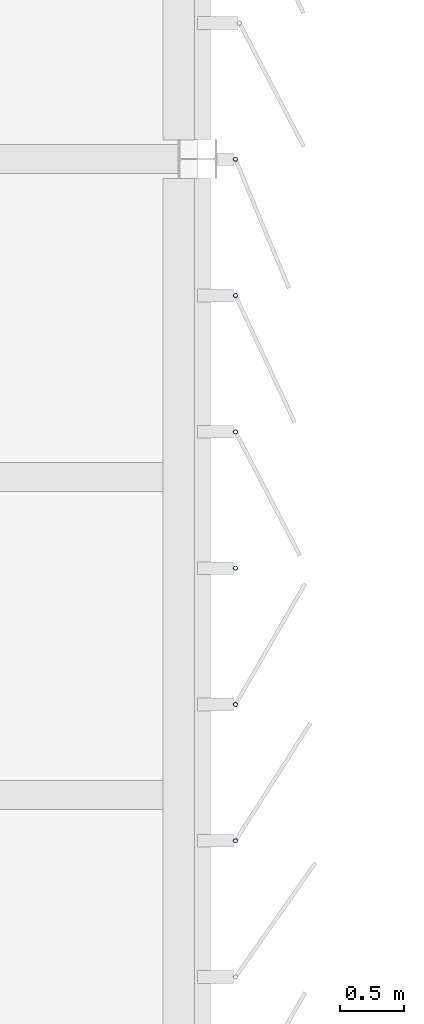
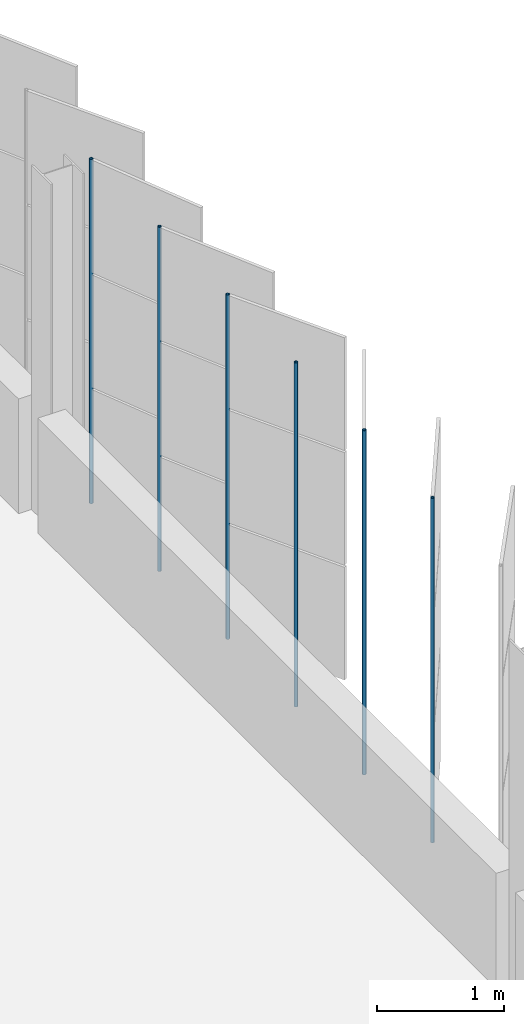
# One storey, part 118 of 199: 6 discrete accessories.
"""IFC4 building model written with IfcOpenShell, lengths in metres."""

from ifc_helpers import new_model, si_unit, direction, frame, origin, origin_2d, place, context, subcontext, project, spatial, hollow_circle, extrude, material, material_profile, profile_set, type_object, element, save


model = new_model("IFC4")

# Units and contexts
model_context = context("Model", 3, precision=1e-05, world=origin(), true_north=direction((0.0, 1.0)))
body_context = subcontext(model_context, "Body", "Model", "MODEL_VIEW")
ifc_project = project(units=[si_unit("LENGTHUNIT", "METRE"), si_unit("AREAUNIT", "SQUARE_METRE"), si_unit("VOLUMEUNIT", "CUBIC_METRE"), si_unit("PLANEANGLEUNIT", "RADIAN"), si_unit("MASSUNIT", "GRAM", prefix="KILO")], contexts=[model_context])

# Site, building, storey
site_placement = place(None, origin())
site = spatial("IfcSite", under=ifc_project, at=site_placement, CompositionType="ELEMENT")
building_placement = place(site_placement, origin())
building = spatial("IfcBuilding", under=site, at=building_placement, Name="Parallax Yard Mobility Hub", CompositionType="ELEMENT")
storey_placement = place(building_placement, frame((0.0, 0.0, 9.89990234375)))
storey = spatial("IfcBuildingStorey", under=building, at=storey_placement, Name="L03", CompositionType="ELEMENT", Elevation=9.89990234375)

# Discrete accessories
ifc_material = material(Name="Steel ASTM A500 Gr C, hot-dip galvanised", Category="steel")
ifc_material_profile = material_profile(ifc_material, hollow_circle(Radius=0.016845703125, WallThickness=0.003173828125, at=origin_2d()), Name="CHS 33.7x3.2")
ifc_profile_set = profile_set([ifc_material_profile], Name="Steel ASTM A500 Gr C, hot-dip galvanised")
discrete_accessory_type = type_object("IfcDiscreteAccessoryType", Name="Hinge post CHS 33.7x3.2", PredefinedType="BRACKET", material=ifc_profile_set)
for number, where, z_axis, x_axis, name in (
    (1, (225.300048828125, 69.639404296875, 0.0), (0.0, 0.0, 1.0), (1.0, 0.0, 0.0), "Hinge post bay 38.3 level L03"),
    (2, (225.300048828125, 70.711181640625, 0.0), (0.0, 0.0, 1.0), (1.0, 0.0, 0.0), "Hinge post bay 38.4 level L03"),
    (3, (225.300048828125, 71.782958984375, 0.0), (0.0, 0.0, 1.0), (1.0, 0.0, 0.0), "Hinge post bay 38.5 level L03"),
    (4, (225.300048828125, 72.854736328125, 0.0), (0.0, 0.0, 1.0), (1.0, 0.0, 0.0), "Hinge post bay 38.6 level L03"),
    (5, (225.300048828125, 73.926513671875, 0.0), (0.0, 0.0, 1.0), (1.0, 0.0, 0.0), "Hinge post bay 38.7 level L03"),
    (6, (225.300048828125, 74.998291015625, 0.0), (0.0, 0.0, 1.0), (1.0, 0.0, 0.0), "Hinge post bay 39.1 level L03"),
):
    element("IfcDiscreteAccessory", number, at=place(storey_placement, frame(where, z_axis=z_axis, x_axis=x_axis)), inside=storey, type_object=discrete_accessory_type, Name=name, PredefinedType="BRACKET", context=body_context, shape_type="SweptSolid", body=[
        extrude(hollow_circle(Radius=0.016845703125, WallThickness=0.003173828125, at=origin_2d()), origin(), (0.0, 0.0, 1.0), 3.300048828125),
    ])

save(model, "model.ifc")
